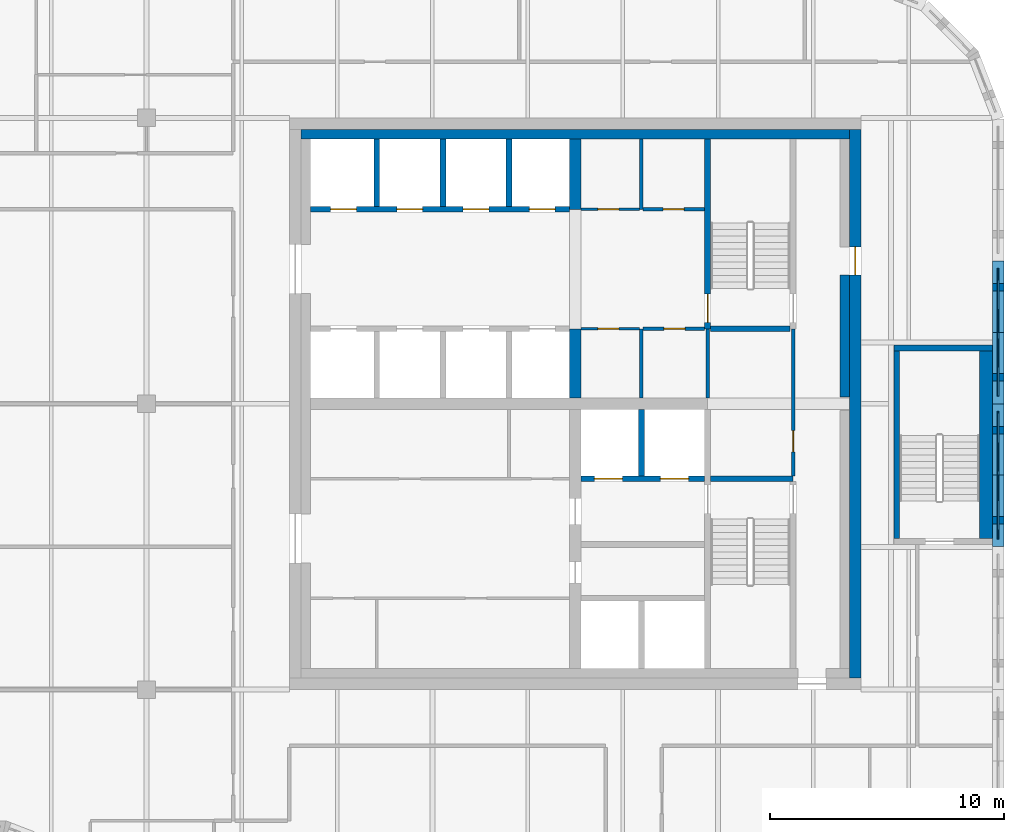
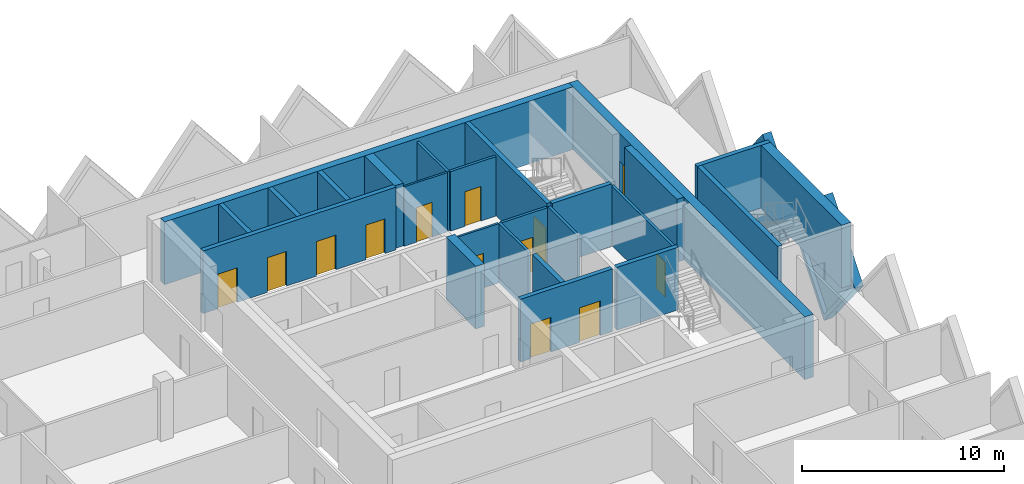
# One storey, part 9 of 12: 27 walls, 13 doors, 2 plates, 15 openings.
"""IFC4 building model written with IfcOpenShell, lengths in metres."""

from ifc_helpers import new_model, si_unit, direction, frame, frame_2d, origin, place, context, subcontext, project, spatial, polyline, rectangle, outline, extrude, faceted_brep, source, transform, mapped, material, layer, layer_set, type_object, element, fill, save


model = new_model("IFC4")

# Units and contexts
model_context = context("Model", 3, precision=1e-05, world=origin(), true_north=direction((0.0, 1.0)))
body_context = subcontext(model_context, "Body", "Model", "MODEL_VIEW")
ifc_project = project(units=[si_unit("LENGTHUNIT", "METRE"), si_unit("AREAUNIT", "SQUARE_METRE"), si_unit("VOLUMEUNIT", "CUBIC_METRE"), si_unit("PLANEANGLEUNIT", "RADIAN"), si_unit("MASSUNIT", "GRAM", prefix="KILO")], contexts=[model_context])

# Site, building, storey
site_placement = place(None, origin())
site = spatial("IfcSite", under=ifc_project, at=site_placement, CompositionType="ELEMENT")
building_placement = place(site_placement, origin())
building = spatial("IfcBuilding", under=site, at=building_placement, Name="Tessera Gate Towers", CompositionType="ELEMENT")
storey_placement = place(building_placement, frame((0.0, 0.0, 213.10009765625)))
storey = spatial("IfcBuildingStorey", under=building, at=storey_placement, Name="L53", CompositionType="ELEMENT", Elevation=213.10009765625)

# Wall, openings, doors
ifc_material_1 = material(Name="Concrete C40/50", Category="concrete")
ifc_layer_1 = layer(ifc_material_1, 0.25)
ifc_layer_set_1 = layer_set([ifc_layer_1], Name="CORE ENCLOSURE WALL 250")
wall_type_1 = type_object("IfcWallType", Name="CORE ENCLOSURE WALL 250", PredefinedType="SOLIDWALL", material=ifc_layer_set_1)
wall_1_placement = place(storey_placement, frame((42.449951171875, 44.89990234375, 0.0), z_axis=(0.0, 0.0, 1.0), x_axis=(-1.0, 0.0, 0.0)))
wall_1 = element("IfcWall", 1, at=wall_1_placement, inside=storey, type_object=wall_type_1, Name="L53 shaft and stair enclosure wall", PredefinedType="SOLIDWALL", context=body_context, shape_type="SweptSolid", body=[
    extrude(rectangle(XDim=11.050048828125, YDim=0.25, at=frame_2d((5.52490234375, 0.0))), origin(), (0.0, 0.0, 1.0), 3.7998046875),
])
shared_shape_1 = source(origin(), body_context, "Body", "SweptSolid", [
    extrude(rectangle(XDim=1.10009765625, YDim=2.10009765625, at=frame_2d((0.550048828125, 1.050048828125))), frame((0.0, 0.135009765625, 0.0), z_axis=(0.0, -1.0, 0.0), x_axis=(1.0, 0.0, 0.0)), (0.0, 0.0, 1.0), 0.27001953125),
])
opening_1_placement = place(wall_1_placement, frame((9.08740234375, 0.0, 0.0)))
opening_1 = element("IfcOpeningElement", 2, at=opening_1_placement, cuts=wall_1, Name="Opening LD-HR5", PredefinedType="OPENING", context=body_context, shape_type="MappedRepresentation", body=[
    mapped(shared_shape_1, transform((0.0, 0.0, 0.0), scale=1.0)),
])
opening_2_placement = place(wall_1_placement, frame((6.262451171875, 0.0, 0.0)))
opening_2 = element("IfcOpeningElement", 3, at=opening_2_placement, cuts=wall_1, Name="Opening LD-HR6", PredefinedType="OPENING", context=body_context, shape_type="MappedRepresentation", body=[
    mapped(shared_shape_1, transform((0.0, 0.0, 0.0), scale=1.0)),
])
opening_3_placement = place(wall_1_placement, frame((3.4375, 0.0, 0.0)))
opening_3 = element("IfcOpeningElement", 4, at=opening_3_placement, cuts=wall_1, Name="Opening LD-HR7", PredefinedType="OPENING", context=body_context, shape_type="MappedRepresentation", body=[
    mapped(shared_shape_1, transform((0.0, 0.0, 0.0), scale=1.0)),
])
opening_4_placement = place(wall_1_placement, frame((0.612548828125, 0.0, 0.0)))
opening_4 = element("IfcOpeningElement", 5, at=opening_4_placement, cuts=wall_1, Name="Opening LD-HR8", PredefinedType="OPENING", context=body_context, shape_type="MappedRepresentation", body=[
    mapped(shared_shape_1, transform((0.0, 0.0, 0.0), scale=1.0)),
])
ifc_material_2 = material(Name="Stainless steel", Category="steel")
door_type_1 = type_object("IfcDoorType", Name="CORE DOOR LD 1100x2100", OperationType="DOUBLE_DOOR_SLIDING", PredefinedType="DOOR", material=ifc_material_2)
shared_shape_2 = source(origin(), body_context, "Body", "SweptSolid", [
    extrude(rectangle(XDim=1.10009765625, YDim=2.10009765625, at=frame_2d((0.550048828125, 1.050048828125))), frame((0.0, 0.02490234375, 0.0), z_axis=(0.0, -1.0, 0.0), x_axis=(1.0, 0.0, 0.0)), (0.0, 0.0, 1.0), 0.050048828125),
])
door_1_placement = place(opening_1_placement, origin())
door_1 = element("IfcDoor", 6, at=door_1_placement, inside=storey, type_object=door_type_1, Name="Landing door HR5 L53", OperationType="DOUBLE_DOOR_SLIDING", OverallHeight=2.10009765625, OverallWidth=1.10009765625, PredefinedType="DOOR", context=body_context, shape_type="MappedRepresentation", body=[
    mapped(shared_shape_2, transform((0.0, 0.0, 0.0), scale=1.0)),
])
fill(opening_1, door_1)
door_2_placement = place(opening_2_placement, origin())
door_2 = element("IfcDoor", 7, at=door_2_placement, inside=storey, type_object=door_type_1, Name="Landing door HR6 L53", OperationType="DOUBLE_DOOR_SLIDING", OverallHeight=2.10009765625, OverallWidth=1.10009765625, PredefinedType="DOOR", context=body_context, shape_type="MappedRepresentation", body=[
    mapped(shared_shape_2, transform((0.0, 0.0, 0.0), scale=1.0)),
])
fill(opening_2, door_2)
door_3_placement = place(opening_3_placement, origin())
door_3 = element("IfcDoor", 8, at=door_3_placement, inside=storey, type_object=door_type_1, Name="Landing door HR7 L53", OperationType="DOUBLE_DOOR_SLIDING", OverallHeight=2.10009765625, OverallWidth=1.10009765625, PredefinedType="DOOR", context=body_context, shape_type="MappedRepresentation", body=[
    mapped(shared_shape_2, transform((0.0, 0.0, 0.0), scale=1.0)),
])
fill(opening_3, door_3)
door_4_placement = place(opening_4_placement, origin())
door_4 = element("IfcDoor", 9, at=door_4_placement, inside=storey, type_object=door_type_1, Name="Landing door HR8 L53", OperationType="DOUBLE_DOOR_SLIDING", OverallHeight=2.10009765625, OverallWidth=1.10009765625, PredefinedType="DOOR", context=body_context, shape_type="MappedRepresentation", body=[
    mapped(shared_shape_2, transform((0.0, 0.0, 0.0), scale=1.0)),
])
fill(opening_4, door_4)

wall_2_placement = place(storey_placement, frame((48.22509765625, 33.39990234375, 0.0), z_axis=(0.0, 0.0, 1.0), x_axis=(-1.0, 0.0, 0.0)))
wall_2 = element("IfcWall", 10, at=wall_2_placement, inside=storey, type_object=wall_type_1, Name="L53 shaft and stair enclosure wall", PredefinedType="SOLIDWALL", context=body_context, shape_type="SweptSolid", body=[
    extrude(rectangle(XDim=5.275146484375, YDim=0.25, at=frame_2d((2.6376953125, 0.0))), origin(), (0.0, 0.0, 1.0), 3.7998046875),
])
shared_shape_3 = source(origin(), body_context, "Body", "SweptSolid", [
    extrude(rectangle(XDim=1.199951171875, YDim=2.10009765625, at=frame_2d((0.60009765625, 1.050048828125))), frame((0.0, 0.135009765625, 0.0), z_axis=(0.0, -1.0, 0.0), x_axis=(1.0, 0.0, 0.0)), (0.0, 0.0, 1.0), 0.27001953125),
])
opening_5_placement = place(wall_2_placement, frame((3.512451171875, 0.0, 0.0)))
opening_5 = element("IfcOpeningElement", 11, at=opening_5_placement, cuts=wall_2, Name="Opening LD-FF1", PredefinedType="OPENING", context=body_context, shape_type="MappedRepresentation", body=[
    mapped(shared_shape_3, transform((0.0, 0.0, 0.0), scale=1.0)),
])
opening_6_placement = place(wall_2_placement, frame((0.6875, 0.0, 0.0)))
opening_6 = element("IfcOpeningElement", 12, at=opening_6_placement, cuts=wall_2, Name="Opening LD-FF2", PredefinedType="OPENING", context=body_context, shape_type="MappedRepresentation", body=[
    mapped(shared_shape_3, transform((0.0, 0.0, 0.0), scale=1.0)),
])
ifc_material_3 = material(Name="Stainless steel", Category="steel")
door_type_2 = type_object("IfcDoorType", Name="CORE DOOR LD1200 1200x2100", OperationType="DOUBLE_DOOR_SLIDING", PredefinedType="DOOR", material=ifc_material_3)
shared_shape_4 = source(origin(), body_context, "Body", "SweptSolid", [
    extrude(rectangle(XDim=1.199951171875, YDim=2.10009765625, at=frame_2d((0.60009765625, 1.050048828125))), frame((0.0, 0.02490234375, 0.0), z_axis=(0.0, -1.0, 0.0), x_axis=(1.0, 0.0, 0.0)), (0.0, 0.0, 1.0), 0.050048828125),
])
door_5_placement = place(opening_5_placement, origin())
door_5 = element("IfcDoor", 13, at=door_5_placement, inside=storey, type_object=door_type_2, Name="Landing door FF1 L53", OperationType="DOUBLE_DOOR_SLIDING", OverallHeight=2.10009765625, OverallWidth=1.199951171875, PredefinedType="DOOR", context=body_context, shape_type="MappedRepresentation", body=[
    mapped(shared_shape_4, transform((0.0, 0.0, 0.0), scale=1.0)),
])
fill(opening_5, door_5)
door_6_placement = place(opening_6_placement, origin())
door_6 = element("IfcDoor", 14, at=door_6_placement, inside=storey, type_object=door_type_2, Name="Landing door FF2 L53", OperationType="DOUBLE_DOOR_SLIDING", OverallHeight=2.10009765625, OverallWidth=1.199951171875, PredefinedType="DOOR", context=body_context, shape_type="MappedRepresentation", body=[
    mapped(shared_shape_4, transform((0.0, 0.0, 0.0), scale=1.0)),
])
fill(opening_6, door_6)

# Wall
wall_3_placement = place(storey_placement, frame((48.47509765625, 33.39990234375, 0.0), z_axis=(0.0, 0.0, 1.0), x_axis=(1.0, 0.0, 0.0)))
element("IfcWall", 15, at=wall_3_placement, inside=storey, type_object=wall_type_1, Name="L53 shaft and stair enclosure wall", PredefinedType="SOLIDWALL", context=body_context, shape_type="SweptSolid", body=[
    extrude(rectangle(XDim=3.52490234375, YDim=0.25, at=frame_2d((1.762451171875, 0.0))), origin(), (0.0, 0.0, 1.0), 3.7998046875),
])

# Wall, opening, door
wall_4_placement = place(storey_placement, frame((48.35009765625, 47.89990234375, 0.0), z_axis=(0.0, 0.0, 1.0), x_axis=(0.0, -1.0, 0.0)))
wall_4 = element("IfcWall", 16, at=wall_4_placement, inside=storey, type_object=wall_type_1, Name="L53 shaft and stair enclosure wall", PredefinedType="SOLIDWALL", context=body_context, shape_type="SweptSolid", body=[
    extrude(rectangle(XDim=8.099853515625, YDim=0.25, at=frame_2d((4.0498046875, 0.0))), origin(), (0.0, 0.0, 1.0), 3.7998046875),
])
opening_7_placement = place(wall_4_placement, frame((6.625, 0.0, 0.0)))
opening_7 = element("IfcOpeningElement", 17, at=opening_7_placement, cuts=wall_4, Name="Opening SD-ST2-1", PredefinedType="OPENING", context=body_context, shape_type="MappedRepresentation", body=[
    mapped(shared_shape_3, transform((0.0, 0.0, 0.0), scale=1.0)),
])
ifc_material_4 = material(Name="Hollow steel fire door", Category="steel")
door_type_3 = type_object("IfcDoorType", Name="CORE DOOR SD 1200x2100", OperationType="NOTDEFINED", PredefinedType="DOOR", material=ifc_material_4)
door_7_placement = place(opening_7_placement, origin())
door_7 = element("IfcDoor", 18, at=door_7_placement, inside=storey, type_object=door_type_3, Name="Stair door", OperationType="SINGLE_SWING_RIGHT", OverallHeight=2.10009765625, OverallWidth=1.199951171875, PredefinedType="DOOR", context=body_context, shape_type="MappedRepresentation", body=[
    mapped(shared_shape_4, transform((0.0, 0.0, 0.0), scale=1.0)),
])
fill(opening_7, door_7)

# Walls
wall_5_placement = place(storey_placement, frame((48.47509765625, 39.800048828125, 0.0), z_axis=(0.0, 0.0, 1.0), x_axis=(1.0, 0.0, 0.0)))
element("IfcWall", 19, at=wall_5_placement, inside=storey, type_object=wall_type_1, Name="L53 shaft and stair enclosure wall", PredefinedType="SOLIDWALL", context=body_context, shape_type="SweptSolid", body=[
    extrude(rectangle(XDim=3.39990234375, YDim=0.25, at=frame_2d((1.699951171875, 0.0))), origin(), (0.0, 0.0, 1.0), 3.7998046875),
])
wall_6_placement = place(storey_placement, frame((45.52490234375, 33.52490234375, 0.0), z_axis=(0.0, 0.0, 1.0), x_axis=(0.0, 1.0, 0.0)))
element("IfcWall", 20, at=wall_6_placement, inside=storey, type_object=wall_type_1, Name="L53 shaft and stair enclosure wall", PredefinedType="SOLIDWALL", context=body_context, shape_type="SweptSolid", body=[
    extrude(rectangle(XDim=2.8251953125, YDim=0.25, at=frame_2d((1.41259765625, 0.0))), origin(), (0.0, 0.0, 1.0), 3.7998046875),
])
for number, where, z_axis, x_axis, name in (
    (21, (34.22509765625, 45.02490234375, 0.0), (0.0, 0.0, 1.0), (0.0, 1.0, 0.0), "L53 shaft and stair enclosure wall"),
    (22, (37.050048828125, 45.02490234375, 0.0), (0.0, 0.0, 1.0), (0.0, 1.0, 0.0), "L53 shaft and stair enclosure wall"),
    (23, (39.875, 45.02490234375, 0.0), (0.0, 0.0, 1.0), (0.0, 1.0, 0.0), "L53 shaft and stair enclosure wall"),
):
    element("IfcWall", number, at=place(storey_placement, frame(where, z_axis=z_axis, x_axis=x_axis)), inside=storey, type_object=wall_type_1, Name=name, PredefinedType="SOLIDWALL", context=body_context, shape_type="SweptSolid", body=[
        extrude(rectangle(XDim=2.875, YDim=0.25, at=frame_2d((1.4375, 0.0))), origin(), (0.0, 0.0, 1.0), 3.7998046875),
    ])
wall_7_placement = place(storey_placement, frame((56.425048828125, 30.85009765625, 0.0), z_axis=(0.0, 0.0, 1.0), x_axis=(0.0, 1.0, 0.0)))
element("IfcWall", 24, at=wall_7_placement, inside=storey, type_object=wall_type_1, Name="L53 ST5 enclosure wall", PredefinedType="SOLIDWALL", context=body_context, shape_type="SweptSolid", body=[
    extrude(rectangle(XDim=8.0, YDim=0.25, at=frame_2d((4.0, 0.0))), origin(), (0.0, 0.0, 1.0), 3.7998046875),
])
wall_8_placement = place(storey_placement, frame((56.300048828125, 38.97509765625, 0.0), z_axis=(0.0, 0.0, 1.0), x_axis=(1.0, 0.0, 0.0)))
element("IfcWall", 25, at=wall_8_placement, inside=storey, type_object=wall_type_1, Name="L53 ST5 enclosure wall", PredefinedType="SOLIDWALL", context=body_context, shape_type="SweptSolid", body=[
    extrude(rectangle(XDim=4.199951171875, YDim=0.25, at=frame_2d((2.10009765625, 0.0))), origin(), (0.0, 0.0, 1.0), 3.7998046875),
])
ifc_material_5 = material(Name="Concrete C40/50", Category="concrete")
ifc_layer_2 = layer(ifc_material_5, 0.550048828125)
ifc_layer_set_2 = layer_set([ifc_layer_2], Name="CORE ENCLOSURE WALL 550")
wall_type_2 = type_object("IfcWallType", Name="CORE ENCLOSURE WALL 550", PredefinedType="SOLIDWALL", material=ifc_layer_set_2)
wall_9_placement = place(storey_placement, frame((60.22509765625, 38.85009765625, 0.0), z_axis=(0.0, 0.0, 1.0), x_axis=(0.0, -1.0, 0.0)))
element("IfcWall", 26, at=wall_9_placement, inside=storey, type_object=wall_type_2, Name="L53 ST5 enclosure wall", PredefinedType="SOLIDWALL", context=body_context, shape_type="SweptSolid", body=[
    extrude(rectangle(XDim=8.0, YDim=0.550048828125, at=frame_2d((4.0, 0.0))), origin(), (0.0, 0.0, 1.0), 3.7998046875),
])

# Wall, opening, door
ifc_material_6 = material(Name="Gypsum board on steel studs", Category="steel")
ifc_layer_3 = layer(ifc_material_6, 0.1201171875)
ifc_layer_set_3 = layer_set([ifc_layer_3], Name="CORE PARTITION 120")
wall_type_3 = type_object("IfcWallType", Name="CORE PARTITION 120", PredefinedType="PARTITIONING", material=ifc_layer_set_3)
wall_10_placement = place(storey_placement, frame((45.449951171875, 39.800048828125, 0.0), z_axis=(0.0, 0.0, 1.0), x_axis=(-1.0, 0.0, 0.0)))
wall_10 = element("IfcWall", 27, at=wall_10_placement, inside=storey, type_object=wall_type_3, Name="L53 core partition", PredefinedType="PARTITIONING", context=body_context, shape_type="SweptSolid", body=[
    extrude(rectangle(XDim=2.5, YDim=0.1201171875, at=frame_2d((1.25, 0.0))), origin(), (0.0, 0.0, 1.0), 3.599853515625),
])
shared_shape_5 = source(origin(), body_context, "Body", "SweptSolid", [
    extrude(rectangle(XDim=0.89990234375, YDim=2.10009765625, at=frame_2d((0.449951171875, 1.050048828125))), frame((0.0, 0.070068359375, 0.0), z_axis=(0.0, -1.0, 0.0), x_axis=(1.0, 0.0, 0.0)), (0.0, 0.0, 1.0), 0.14013671875),
])
opening_8_placement = place(wall_10_placement, frame((0.887451171875, 0.0, 0.0)))
opening_8 = element("IfcOpeningElement", 28, at=opening_8_placement, cuts=wall_10, Name="Opening RD-T1-32-12", PredefinedType="OPENING", context=body_context, shape_type="MappedRepresentation", body=[
    mapped(shared_shape_5, transform((0.0, 0.0, 0.0), scale=1.0)),
])
ifc_material_7 = material(Name="Hollow steel fire door", Category="steel")
door_type_4 = type_object("IfcDoorType", Name="CORE DOOR RD 900x2100", OperationType="NOTDEFINED", PredefinedType="DOOR", material=ifc_material_7)
shared_shape_6 = source(origin(), body_context, "Body", "SweptSolid", [
    extrude(rectangle(XDim=0.89990234375, YDim=2.10009765625, at=frame_2d((0.449951171875, 1.050048828125))), frame((0.0, 0.02490234375, 0.0), z_axis=(0.0, -1.0, 0.0), x_axis=(1.0, 0.0, 0.0)), (0.0, 0.0, 1.0), 0.050048828125),
])
door_8_placement = place(opening_8_placement, origin())
door_8 = element("IfcDoor", 29, at=door_8_placement, inside=storey, type_object=door_type_4, Name="Core room door", OperationType="SINGLE_SWING_RIGHT", OverallHeight=2.10009765625, OverallWidth=0.89990234375, PredefinedType="DOOR", context=body_context, shape_type="MappedRepresentation", body=[
    mapped(shared_shape_6, transform((0.0, 0.0, 0.0), scale=1.0)),
])
fill(opening_8, door_8)

wall_11_placement = place(storey_placement, frame((42.949951171875, 44.89990234375, 0.0), z_axis=(0.0, 0.0, 1.0), x_axis=(1.0, 0.0, 0.0)))
wall_11 = element("IfcWall", 30, at=wall_11_placement, inside=storey, type_object=wall_type_3, Name="L53 core partition", PredefinedType="PARTITIONING", context=body_context, shape_type="SweptSolid", body=[
    extrude(rectangle(XDim=2.5, YDim=0.1201171875, at=frame_2d((1.25, 0.0))), origin(), (0.0, 0.0, 1.0), 3.599853515625),
])
opening_9_placement = place(wall_11_placement, frame((0.71240234375, 0.0, 0.0)))
opening_9 = element("IfcOpeningElement", 31, at=opening_9_placement, cuts=wall_11, Name="Opening RD-T1-32-14", PredefinedType="OPENING", context=body_context, shape_type="MappedRepresentation", body=[
    mapped(shared_shape_5, transform((0.0, 0.0, 0.0), scale=1.0)),
])
door_9_placement = place(opening_9_placement, origin())
door_9 = element("IfcDoor", 32, at=door_9_placement, inside=storey, type_object=door_type_4, Name="Core room door", OperationType="SINGLE_SWING_LEFT", OverallHeight=2.10009765625, OverallWidth=0.89990234375, PredefinedType="DOOR", context=body_context, shape_type="MappedRepresentation", body=[
    mapped(shared_shape_6, transform((0.0, 0.0, 0.0), scale=1.0)),
])
fill(opening_9, door_9)

ifc_material_8 = material(Name="Concrete C50/60", Category="concrete")
ifc_layer_4 = layer(ifc_material_8, 0.5)
ifc_layer_set_4 = layer_set([ifc_layer_4], Name="CORE SHEAR WALL 500 C50/60")
wall_type_4 = type_object("IfcWallType", Name="CORE SHEAR WALL 500 C50/60", PredefinedType="SHEAR", material=ifc_layer_set_4)
wall_12_placement = place(storey_placement, frame((54.64990234375, 48.300048828125, 0.0), z_axis=(0.0, 0.0, 1.0), x_axis=(0.0, -1.0, 0.0)))
wall_12 = element("IfcWall", 33, at=wall_12_placement, inside=storey, type_object=wall_type_4, Name="Core wall E L53", PredefinedType="SHEAR", context=body_context, shape_type="SweptSolid", body=[
    extrude(rectangle(XDim=23.400146484375, YDim=0.5, at=frame_2d((11.7001953125, 0.0))), origin(), (0.0, 0.0, 1.0), 3.7998046875),
])
shared_shape_7 = source(origin(), body_context, "Body", "SweptSolid", [
    extrude(rectangle(XDim=1.199951171875, YDim=2.10009765625, at=frame_2d((0.60009765625, 1.050048828125))), frame((0.0, 0.260009765625, 0.0), z_axis=(0.0, -1.0, 0.0), x_axis=(1.0, 0.0, 0.0)), (0.0, 0.0, 1.0), 0.52001953125),
])
opening_10_placement = place(wall_12_placement, frame((5.0, 0.0, 0.0)))
opening_10 = element("IfcOpeningElement", 34, at=opening_10_placement, cuts=wall_12, Name="Opening ED-T1-32-04", PredefinedType="OPENING", context=body_context, shape_type="MappedRepresentation", body=[
    mapped(shared_shape_7, transform((0.0, 0.0, 0.0), scale=1.0)),
])
ifc_material_9 = material(Name="Hollow steel fire door", Category="steel")
door_type_5 = type_object("IfcDoorType", Name="CORE DOOR ED 1200x2100", OperationType="NOTDEFINED", PredefinedType="DOOR", material=ifc_material_9)
door_10_placement = place(opening_10_placement, origin())
door_10 = element("IfcDoor", 35, at=door_10_placement, inside=storey, type_object=door_type_5, Name="Core exit door", OperationType="SINGLE_SWING_LEFT", OverallHeight=2.10009765625, OverallWidth=1.199951171875, PredefinedType="DOOR", context=body_context, shape_type="MappedRepresentation", body=[
    mapped(shared_shape_4, transform((0.0, 0.0, 0.0), scale=1.0)),
])
fill(opening_10, door_10)

# Walls
ifc_material_10 = material(Name="Concrete C50/60", Category="concrete")
ifc_layer_5 = layer(ifc_material_10, 0.5)
ifc_layer_set_5 = layer_set([ifc_layer_5], Name="CORE SPINE WALL 500 C50/60")
wall_type_5 = type_object("IfcWallType", Name="CORE SPINE WALL 500 C50/60", PredefinedType="SHEAR", material=ifc_layer_set_5)
wall_13_placement = place(storey_placement, frame((42.699951171875, 36.85009765625, 0.0), z_axis=(0.0, 0.0, 1.0), x_axis=(0.0, 1.0, 0.0)))
element("IfcWall", 36, at=wall_13_placement, inside=storey, type_object=wall_type_5, Name="Core wall spine L53", PredefinedType="SHEAR", context=body_context, shape_type="SweptSolid", body=[
    extrude(rectangle(XDim=2.949951171875, YDim=0.5, at=frame_2d((1.47509765625, 0.0))), origin(), (0.0, 0.0, 1.0), 3.7998046875),
])
wall_14_placement = place(storey_placement, frame((42.699951171875, 44.89990234375, 0.0), z_axis=(0.0, 0.0, 1.0), x_axis=(0.0, 1.0, 0.0)))
element("IfcWall", 37, at=wall_14_placement, inside=storey, type_object=wall_type_5, Name="Core wall spine L53", PredefinedType="SHEAR", context=body_context, shape_type="SweptSolid", body=[
    extrude(rectangle(XDim=3.0, YDim=0.5, at=frame_2d((1.5, 0.0))), origin(), (0.0, 0.0, 1.0), 3.7998046875),
])
ifc_material_11 = material(Name="Concrete C50/60", Category="concrete")
ifc_layer_6 = layer(ifc_material_11, 0.39990234375)
ifc_layer_set_6 = layer_set([ifc_layer_6], Name="CORE WALL THICKENING 400")
wall_type_6 = type_object("IfcWallType", Name="CORE WALL THICKENING 400", PredefinedType="SOLIDWALL", material=ifc_layer_set_6)
wall_15_placement = place(storey_placement, frame((31.0, 48.10009765625, 0.0), z_axis=(0.0, 0.0, 1.0), x_axis=(1.0, 0.0, 0.0)))
element("IfcWall", 38, at=wall_15_placement, inside=storey, type_object=wall_type_6, Name="Core wall thickening N L53", PredefinedType="SOLIDWALL", context=body_context, shape_type="SweptSolid", body=[
    extrude(rectangle(XDim=23.39990234375, YDim=0.39990234375, at=frame_2d((11.699951171875, 0.0))), origin(), (0.0, 0.0, 1.0), 3.7998046875),
])
wall_16_placement = place(storey_placement, frame((54.199951171875, 36.8798828125, 0.0), z_axis=(0.0, 0.0, 1.0), x_axis=(0.0, 1.0, 0.0)))
element("IfcWall", 39, at=wall_16_placement, inside=storey, type_object=wall_type_6, Name="Core wall thickening E L53", PredefinedType="SOLIDWALL", context=body_context, shape_type="SweptSolid", body=[
    extrude(rectangle(XDim=5.22021484375, YDim=0.39990234375, at=frame_2d((2.610107421875, 0.0))), origin(), (0.0, 0.0, 1.0), 3.7998046875),
])

# Wall, opening, door
ifc_material_12 = material(Name="Gypsum board on steel studs", Category="steel")
ifc_layer_7 = layer(ifc_material_12, 0.14990234375)
ifc_layer_set_7 = layer_set([ifc_layer_7], Name="SERVICE ROOM WALL 150")
wall_type_7 = type_object("IfcWallType", Name="SERVICE ROOM WALL 150", PredefinedType="PARTITIONING", material=ifc_layer_set_7)
wall_17_placement = place(storey_placement, frame((52.0, 33.52490234375, 0.0), z_axis=(0.0, 0.0, 1.0), x_axis=(0.0, 1.0, 0.0)))
wall_17 = element("IfcWall", 40, at=wall_17_placement, inside=storey, type_object=wall_type_7, Name="L53 service room wall", PredefinedType="PARTITIONING", context=body_context, shape_type="SweptSolid", body=[
    extrude(rectangle(XDim=6.275146484375, YDim=0.14990234375, at=frame_2d((3.1376953125, 0.0))), origin(), (0.0, 0.0, 1.0), 3.599853515625),
])
shared_shape_8 = source(origin(), body_context, "Body", "SweptSolid", [
    extrude(rectangle(XDim=0.89990234375, YDim=2.10009765625, at=frame_2d((0.449951171875, 1.050048828125))), frame((0.0, 0.0849609375, 0.0), z_axis=(0.0, -1.0, 0.0), x_axis=(1.0, 0.0, 0.0)), (0.0, 0.0, 1.0), 0.169921875),
])
opening_11_placement = place(wall_17_placement, frame((1.02490234375, 0.0, 0.0)))
opening_11 = element("IfcOpeningElement", 41, at=opening_11_placement, cuts=wall_17, Name="Opening RD-T1-32-11", PredefinedType="OPENING", context=body_context, shape_type="MappedRepresentation", body=[
    mapped(shared_shape_8, transform((0.0, 0.0, 0.0), scale=1.0)),
])
door_11_placement = place(opening_11_placement, origin())
door_11 = element("IfcDoor", 42, at=door_11_placement, inside=storey, type_object=door_type_4, Name="Core room door", OperationType="SINGLE_SWING_LEFT", OverallHeight=2.10009765625, OverallWidth=0.89990234375, PredefinedType="DOOR", context=body_context, shape_type="MappedRepresentation", body=[
    mapped(shared_shape_6, transform((0.0, 0.0, 0.0), scale=1.0)),
])
fill(opening_11, door_11)

# Walls
for number, where, z_axis, x_axis, name in (
    (43, (45.52490234375, 36.85009765625, 0.0), (0.0, 0.0, 1.0), (0.0, 1.0, 0.0), "L53 service room wall"),
    (44, (48.35009765625, 36.85009765625, 0.0), (0.0, 0.0, 1.0), (0.0, 1.0, 0.0), "L53 service room wall"),
):
    element("IfcWall", number, at=place(storey_placement, frame(where, z_axis=z_axis, x_axis=x_axis)), inside=storey, type_object=wall_type_7, Name=name, PredefinedType="PARTITIONING", context=body_context, shape_type="SweptSolid", body=[
        extrude(rectangle(XDim=2.949951171875, YDim=0.14990234375, at=frame_2d((1.47509765625, 0.0))), origin(), (0.0, 0.0, 1.0), 3.599853515625),
    ])
wall_18_placement = place(storey_placement, frame((45.52490234375, 44.89990234375, 0.0), z_axis=(0.0, 0.0, 1.0), x_axis=(0.0, 1.0, 0.0)))
element("IfcWall", 45, at=wall_18_placement, inside=storey, type_object=wall_type_7, Name="L53 service room wall", PredefinedType="PARTITIONING", context=body_context, shape_type="SweptSolid", body=[
    extrude(rectangle(XDim=3.0, YDim=0.14990234375, at=frame_2d((1.5, 0.0))), origin(), (0.0, 0.0, 1.0), 3.599853515625),
])

# Wall, opening, door
wall_19_placement = place(storey_placement, frame((48.22509765625, 39.800048828125, 0.0), z_axis=(0.0, 0.0, 1.0), x_axis=(-1.0, 0.0, 0.0)))
wall_19 = element("IfcWall", 46, at=wall_19_placement, inside=storey, type_object=wall_type_7, Name="L53 service room wall", PredefinedType="PARTITIONING", context=body_context, shape_type="SweptSolid", body=[
    extrude(rectangle(XDim=2.625, YDim=0.14990234375, at=frame_2d((1.3125, 0.0))), origin(), (0.0, 0.0, 1.0), 3.599853515625),
])
opening_12_placement = place(wall_19_placement, frame((0.83740234375, 0.0, 0.0)))
opening_12 = element("IfcOpeningElement", 47, at=opening_12_placement, cuts=wall_19, Name="Opening RD-T1-32-13", PredefinedType="OPENING", context=body_context, shape_type="MappedRepresentation", body=[
    mapped(shared_shape_8, transform((0.0, 0.0, 0.0), scale=1.0)),
])
door_12_placement = place(opening_12_placement, origin())
door_12 = element("IfcDoor", 48, at=door_12_placement, inside=storey, type_object=door_type_4, Name="Core room door", OperationType="SINGLE_SWING_LEFT", OverallHeight=2.10009765625, OverallWidth=0.89990234375, PredefinedType="DOOR", context=body_context, shape_type="MappedRepresentation", body=[
    mapped(shared_shape_6, transform((0.0, 0.0, 0.0), scale=1.0)),
])
fill(opening_12, door_12)

wall_20_placement = place(storey_placement, frame((45.60009765625, 44.89990234375, 0.0), z_axis=(0.0, 0.0, 1.0), x_axis=(1.0, 0.0, 0.0)))
wall_20 = element("IfcWall", 49, at=wall_20_placement, inside=storey, type_object=wall_type_7, Name="L53 service room wall", PredefinedType="PARTITIONING", context=body_context, shape_type="SweptSolid", body=[
    extrude(rectangle(XDim=2.625, YDim=0.14990234375, at=frame_2d((1.3125, 0.0))), origin(), (0.0, 0.0, 1.0), 3.599853515625),
])
opening_13_placement = place(wall_20_placement, frame((0.85009765625, 0.0, 0.0)))
opening_13 = element("IfcOpeningElement", 50, at=opening_13_placement, cuts=wall_20, Name="Opening RD-T1-32-15", PredefinedType="OPENING", context=body_context, shape_type="MappedRepresentation", body=[
    mapped(shared_shape_8, transform((0.0, 0.0, 0.0), scale=1.0)),
])
door_13_placement = place(opening_13_placement, origin())
door_13 = element("IfcDoor", 51, at=door_13_placement, inside=storey, type_object=door_type_4, Name="Core room door", OperationType="SINGLE_SWING_LEFT", OverallHeight=2.10009765625, OverallWidth=0.89990234375, PredefinedType="DOOR", context=body_context, shape_type="MappedRepresentation", body=[
    mapped(shared_shape_6, transform((0.0, 0.0, 0.0), scale=1.0)),
])
fill(opening_13, door_13)

# Wall, opening, plate
ifc_material_13 = material(Name="Precast concrete C60/75 white", Category="concrete")
ifc_layer_8 = layer(ifc_material_13, 0.5)
ifc_layer_set_8 = layer_set([ifc_layer_8], Name="TS1 tessera")
wall_type_8 = type_object("IfcWallType", Name="TS1 tessera", PredefinedType="SOLIDWALL", material=ifc_layer_set_8)
shared_shape_9 = source(origin(), body_context, "Body", "Brep", [
    faceted_brep([(3.050048828125, -0.25, 0.0), (6.099853515625, -0.25, 3.7998046875), (6.099853515625, -0.25, 3.80029296875), (3.050048828125, -0.25, 7.599853515625), (0.0, -0.25, 3.800048828125), (0.0, 0.25, 3.800048828125), (3.050048828125, 0.25, 7.599853515625), (6.099853515625, 0.25, 3.80029296875), (6.099853515625, 0.25, 3.7998046875), (3.050048828125, 0.25, 0.0)], [[[0, 1, 2, 3, 4]], [[5, 6, 7, 8, 9]], [[9, 8, 1, 0]], [[7, 6, 3, 2]], [[6, 5, 4, 3]], [[5, 9, 0, 4]], [[1, 8, 7, 2]]]),
])
wall_21_placement = place(storey_placement, frame((60.75, 36.60009765625, -3.800048828125), z_axis=(0.0, 0.0, 1.0), x_axis=(0.0, 1.0, 0.0)))
wall_21 = element("IfcWall", 52, at=wall_21_placement, inside=storey, type_object=wall_type_8, Name="Precast tessera T1 TS1-0928", PredefinedType="SOLIDWALL", context=body_context, shape_type="MappedRepresentation", body=[
    mapped(shared_shape_9, transform((0.0, 0.0, 0.0), scale=1.0)),
])
shared_shape_10 = source(origin(), body_context, "Body", "SweptSolid", [
    extrude(outline(polyline([(3.050048828125, 0.3994140625), (5.779541015625, 3.800048828125), (3.050048828125, 7.200439453125), (0.320556640625, 3.800048828125), (3.050048828125, 0.3994140625)])), frame((0.0, 0.260009765625, 0.0), z_axis=(0.0, -1.0, 0.0), x_axis=(1.0, 0.0, 0.0)), (0.0, 0.0, 1.0), 0.52001953125),
])
opening_14_placement = place(wall_21_placement, origin())
opening_14 = element("IfcOpeningElement", 53, at=opening_14_placement, cuts=wall_21, Name="Opening T1-PL2-1894", PredefinedType="OPENING", context=body_context, shape_type="MappedRepresentation", body=[
    mapped(shared_shape_10, transform((0.0, 0.0, 0.0), scale=1.0)),
])
ifc_material_14 = material(Name="Low-e laminated glass", Category="glass")
ifc_layer_9 = layer(ifc_material_14, 0.06005859375)
ifc_layer_set_9 = layer_set([ifc_layer_9], Name="PL2 rhombic pane")
plate_type = type_object("IfcPlateType", Name="PL2 rhombic pane", PredefinedType="SHEET", material=ifc_layer_set_9)
shared_shape_11 = source(origin(), body_context, "Body", "SweptSolid", [
    extrude(outline(polyline([(3.050048828125, 0.3994140625), (5.779541015625, 3.800048828125), (3.050048828125, 7.200439453125), (0.320556640625, 3.800048828125), (3.050048828125, 0.3994140625)])), frame((0.0, 0.030029296875, 0.0), z_axis=(0.0, -1.0, 0.0), x_axis=(1.0, 0.0, 0.0)), (0.0, 0.0, 1.0), 0.06005859375),
])
plate_1_placement = place(opening_14_placement, origin())
plate_1 = element("IfcPlate", 54, at=plate_1_placement, inside=storey, type_object=plate_type, Name="Glass pane T1 PL2-1894", PredefinedType="SHEET", context=body_context, shape_type="MappedRepresentation", body=[
    mapped(shared_shape_11, transform((0.0, 0.0, 0.0), scale=1.0)),
])
fill(opening_14, plate_1)

shared_shape_12 = source(origin(), body_context, "Body", "SweptSolid", [
    extrude(outline(polyline([(3.050048828125, 0.0), (6.10009765625, 3.800048828125), (3.050048828125, 7.599853515625), (0.0, 3.800048828125), (3.050048828125, 0.0)])), frame((0.0, 0.25, 0.0), z_axis=(0.0, -1.0, 0.0), x_axis=(1.0, 0.0, 0.0)), (0.0, 0.0, 1.0), 0.5),
])
wall_22_placement = place(storey_placement, frame((60.75, 30.5, -3.800048828125), z_axis=(0.0, 0.0, 1.0), x_axis=(0.0, 1.0, 0.0)))
wall_22 = element("IfcWall", 55, at=wall_22_placement, inside=storey, type_object=wall_type_8, Name="Precast tessera T1 TS1-0927", PredefinedType="SOLIDWALL", context=body_context, shape_type="MappedRepresentation", body=[
    mapped(shared_shape_12, transform((0.0, 0.0, 0.0), scale=1.0)),
])
opening_15_placement = place(wall_22_placement, origin())
opening_15 = element("IfcOpeningElement", 56, at=opening_15_placement, cuts=wall_22, Name="Opening T1-PL2-1893", PredefinedType="OPENING", context=body_context, shape_type="MappedRepresentation", body=[
    mapped(shared_shape_10, transform((0.0, 0.0, 0.0), scale=1.0)),
])
plate_2_placement = place(opening_15_placement, origin())
plate_2 = element("IfcPlate", 57, at=plate_2_placement, inside=storey, type_object=plate_type, Name="Glass pane T1 PL2-1893", PredefinedType="SHEET", context=body_context, shape_type="MappedRepresentation", body=[
    mapped(shared_shape_11, transform((0.0, 0.0, 0.0), scale=1.0)),
])
fill(opening_15, plate_2)

save(model, "model.ifc")
